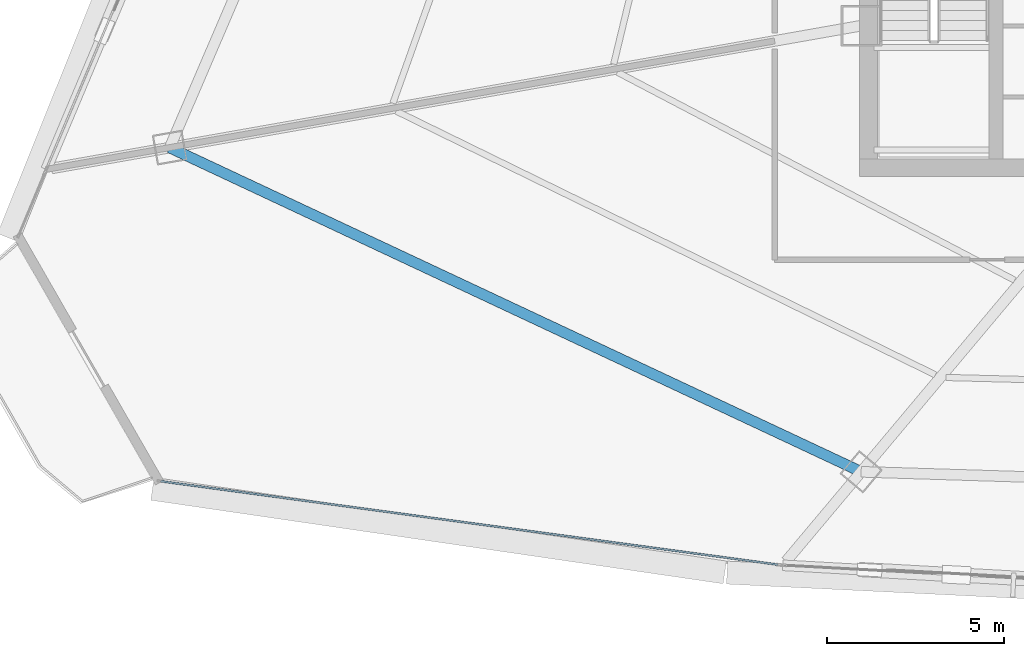
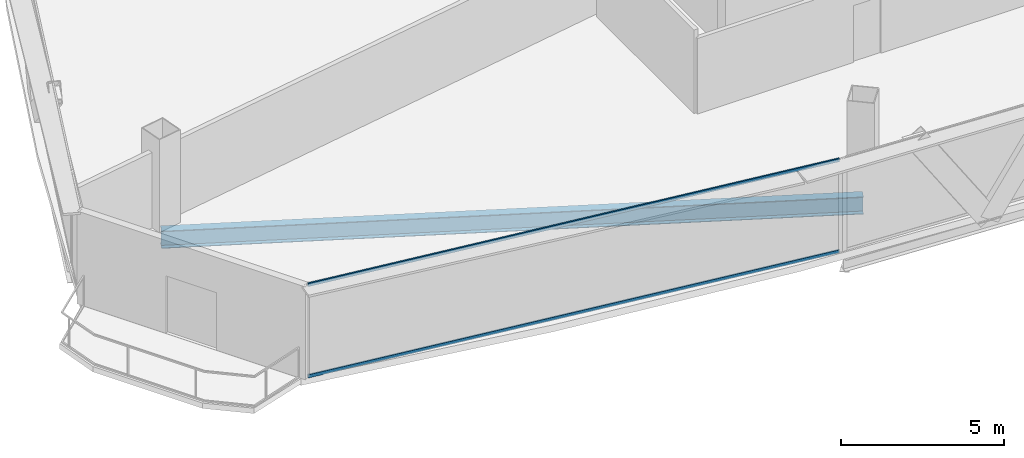
# One storey, part 3 of 34: 2 members, 1 beam, 1 element without a shape of its own.
"""IFC4 building model written with IfcOpenShell, lengths in metres."""

from ifc_helpers import new_model, si_unit, direction, frame, origin, origin_2d, place, context, subcontext, project, spatial, hollow_rectangle, i_section, extrude, source, transform, mapped, material, layer, layer_set, material_profile, profile_set, type_object, element, aggregate, save


model = new_model("IFC4")

# Units and contexts
model_context = context("Model", 3, precision=1e-05, world=origin(), true_north=direction((0.0, 1.0)))
body_context = subcontext(model_context, "Body", "Model", "MODEL_VIEW")
ifc_project = project(units=[si_unit("LENGTHUNIT", "METRE"), si_unit("AREAUNIT", "SQUARE_METRE"), si_unit("VOLUMEUNIT", "CUBIC_METRE"), si_unit("PLANEANGLEUNIT", "RADIAN"), si_unit("MASSUNIT", "GRAM", prefix="KILO"), si_unit("THERMODYNAMICTEMPERATUREUNIT", "KELVIN"), si_unit("POWERUNIT", "WATT")], contexts=[model_context])

# Site, building, storey
site_placement = place(None, origin())
site = spatial("IfcSite", under=ifc_project, at=site_placement, CompositionType="ELEMENT")
building_placement = place(site_placement, origin())
building = spatial("IfcBuilding", under=site, at=building_placement, Name="Yunzhuo Pagoda Commons", CompositionType="ELEMENT")
storey_placement = place(building_placement, frame((0.0, 0.0, 233.340087890625)))
storey = spatial("IfcBuildingStorey", under=building, at=storey_placement, Name="L58", CompositionType="ELEMENT", Elevation=233.340087890625)

# Beam
ifc_material_1 = material(Name="Structural steel Q355B", Category="steel")
ifc_material_profile_1 = material_profile(ifc_material_1, i_section(OverallWidth=0.300048828125, OverallDepth=0.64990234375, WebThickness=0.012939453125, FlangeThickness=0.02197265625, at=origin_2d()), Name="Structural steel Q355B")
ifc_profile_set_1 = profile_set([ifc_material_profile_1], Name="Structural steel Q355B")
beam_type = type_object("IfcBeamType", Name="B-RG2 Beam HN 650x300x13x22", PredefinedType="BEAM", material=ifc_profile_set_1)
shared_shape_1 = source(origin(), body_context, "Body", "SweptSolid", [
    extrude(i_section(OverallWidth=0.300048828125, OverallDepth=0.64990234375, WebThickness=0.012939453125, FlangeThickness=0.02197265625, at=origin_2d()), origin(), (0.0, 0.0, 1.0), 21.56689453125),
])
beam_placement = place(storey_placement, frame((16.06591796875, 28.069091796875, -0.585205078125), z_axis=(0.905424265365, -0.424507832304, 0.0), x_axis=(0.424507832304, 0.905424265365, 0.0)))
element("IfcBeam", 1, at=beam_placement, inside=storey, type_object=beam_type, Name="L58 column-ring beam 12", PredefinedType="BEAM", context=body_context, shape_type="MappedRepresentation", body=[
    mapped(shared_shape_1, transform((0.0, 0.0, 0.0), scale=1.0)),
])

# Curtain wall, members
ifc_material_2 = material(Name="Anodized aluminium 6063-T6", Category="aluminium")
ifc_layer = layer(ifc_material_2, 0.139892578125)
ifc_layer_set = layer_set([ifc_layer], Name="Anodized aluminium 6063-T6")
curtain_wall_type = type_object("IfcCurtainWallType", Name="CW-HI High-Zone Ribbon Curtain Wall", PredefinedType="NOTDEFINED", material=ifc_layer_set)
curtain_wall_placement = place(storey_placement, origin())
curtain_wall = element("IfcCurtainWall", 2, at=curtain_wall_placement, inside=storey, type_object=curtain_wall_type, Name="L58 curtain wall CW-L58-F1B1", PredefinedType="NOTDEFINED")
ifc_material_profile_2 = material_profile(ifc_material_2, hollow_rectangle(XDim=0.054931640625, YDim=0.1201171875, WallThickness=0.00341796875, at=origin_2d()), Name="Anodized aluminium 6063-T6")
ifc_profile_set_2 = profile_set([ifc_material_profile_2], Name="Anodized aluminium 6063-T6")
member_type = type_object("IfcMemberType", Name="CW-HI-T Transom RHS 120x55x3.5", PredefinedType="USERDEFINED", material=ifc_profile_set_2)
shared_shape_2 = source(origin(), body_context, "Body", "SweptSolid", [
    extrude(hollow_rectangle(XDim=0.054931640625, YDim=0.1201171875, WallThickness=0.00341796875, at=origin_2d()), origin(), (0.0, 0.0, 1.0), 17.590087890625),
])
member_1_placement = place(storey_placement, frame((15.81201171875, 18.647216796875, 0.02734375), z_axis=(0.990991783223, -0.133922685102, 0.0), x_axis=(0.133922685102, 0.990991783223, 0.0)))
member_1 = element("IfcMember", 3, at=member_1_placement, type_object=member_type, Name="CW transom 1.1", ObjectType="TRANSOM", PredefinedType="USERDEFINED", context=body_context, shape_type="MappedRepresentation", body=[
    mapped(shared_shape_2, transform((0.0, 0.0, 0.0), scale=1.0)),
])
member_2_placement = place(storey_placement, frame((15.81201171875, 18.647216796875, 3.4423828125), z_axis=(0.990991783223, -0.133922685102, 0.0), x_axis=(0.133922685102, 0.990991783223, 0.0)))
member_2 = element("IfcMember", 4, at=member_2_placement, type_object=member_type, Name="CW transom 1.2", ObjectType="TRANSOM", PredefinedType="USERDEFINED", context=body_context, shape_type="MappedRepresentation", body=[
    mapped(shared_shape_2, transform((0.0, 0.0, 0.0), scale=1.0)),
])
aggregate(curtain_wall, [member_1, member_2])

save(model, "model.ifc")
